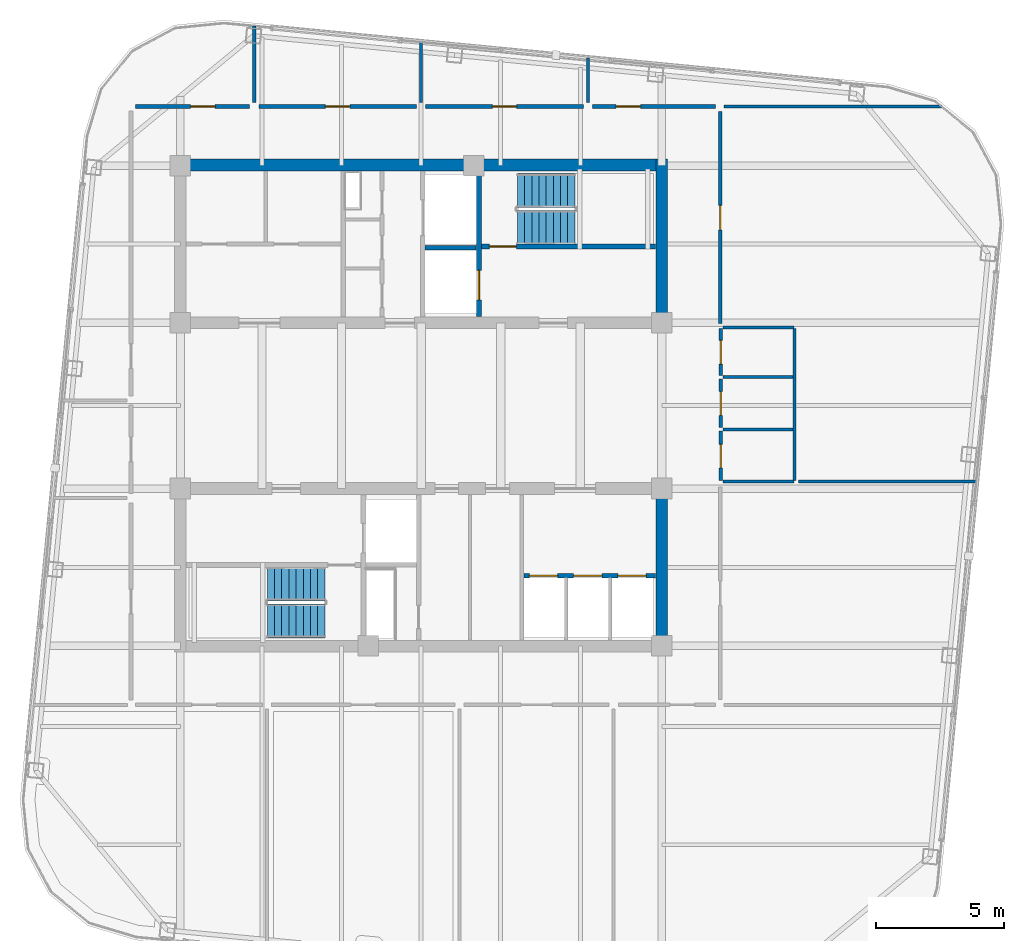
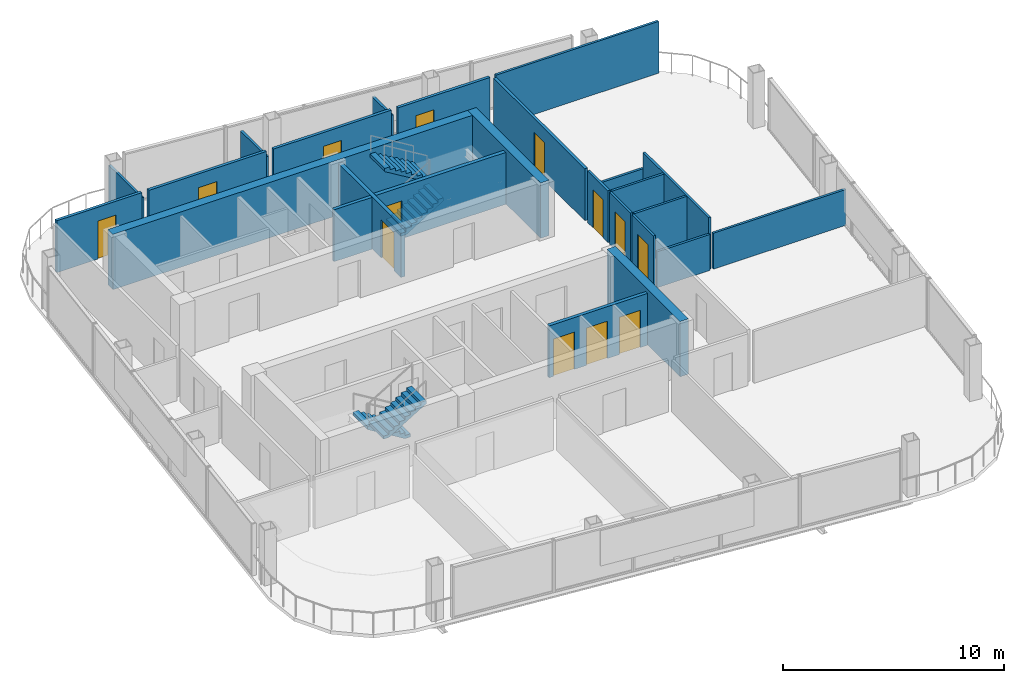
# One storey, part 18 of 23: 25 walls, 13 doors, 4 stair flights, 13 openings, 2 elements without a shape of their own.
"""IFC4 building model written with IfcOpenShell, lengths in metres."""

from ifc_helpers import new_model, si_unit, direction, frame, frame_2d, origin, place, context, subcontext, project, spatial, polyline, rectangle, outline, extrude, material, layer, layer_set, type_object, element, fill, aggregate, save


model = new_model("IFC4")

# Units and contexts
model_context = context("Model", 3, precision=1e-05, world=origin(), true_north=direction((0.0, 1.0)))
body_context = subcontext(model_context, "Body", "Model", "MODEL_VIEW")
ifc_project = project(units=[si_unit("LENGTHUNIT", "METRE"), si_unit("AREAUNIT", "SQUARE_METRE"), si_unit("VOLUMEUNIT", "CUBIC_METRE"), si_unit("PLANEANGLEUNIT", "RADIAN"), si_unit("MASSUNIT", "GRAM", prefix="KILO")], contexts=[model_context])

# Site, building, storey
site_placement = place(None, origin())
site = spatial("IfcSite", under=ifc_project, at=site_placement, CompositionType="ELEMENT")
building_placement = place(site_placement, origin())
building = spatial("IfcBuilding", under=site, at=building_placement, Name="Qhalaya Broadcast Tower", CompositionType="ELEMENT")
storey_placement = place(building_placement, frame((0.0, 0.0, 264.199951171875)))
storey = spatial("IfcBuildingStorey", under=building, at=storey_placement, Name="L78", CompositionType="ELEMENT", Elevation=264.199951171875)

# Wall, opening, door
ifc_material_1 = material(Name="Gypsum Acoustic Partition")
ifc_layer_1 = layer(ifc_material_1, 0.14990234375, Name="Gypsum Acoustic Partition")
ifc_layer_set_1 = layer_set([ifc_layer_1], Name="Gypsum Acoustic Partition")
wall_type_1 = type_object("IfcWallType", Name="Corridor & Tenancy Acoustic Partition 150", PredefinedType="PARTITIONING", material=ifc_layer_set_1)
wall_1_placement = place(storey_placement, frame((-11.1201171875, 12.25, 0.0), z_axis=(0.0, 0.0, 1.0), x_axis=(1.0, 0.0, 0.0)))
wall_1 = element("IfcWall", 1, at=wall_1_placement, inside=storey, type_object=wall_type_1, Name="L78 Partition Wall W-COR-01", PredefinedType="PARTITIONING", context=body_context, shape_type="SweptSolid", body=[
    extrude(rectangle(XDim=4.440185546875, YDim=0.14990234375, at=frame_2d((2.22021484375, 0.0))), origin(), (0.0, 0.0, 1.0), 2.860107421875),
])
opening_1_placement = place(wall_1_placement, frame((2.14501953125, 0.0, 0.0)))
opening_1 = element("IfcOpeningElement", 2, at=opening_1_placement, cuts=wall_1, Name="Opening D10", PredefinedType="OPENING", context=body_context, shape_type="SweptSolid", body=[
    extrude(rectangle(XDim=0.949951171875, YDim=2.10009765625, at=frame_2d((0.47509765625, 1.050048828125))), frame((0.0, 0.0869140625, 0.0), z_axis=(0.0, -1.0, 0.0), x_axis=(1.0, 0.0, 0.0)), (0.0, 0.0, 1.0), 0.173828125),
])
ifc_material_2 = material(Name="Timber Veneer Acoustic Door", Category="wood")
door_type_1 = type_object("IfcDoorType", Name="Cellular Office & Edit Booth Door D10", OperationType="NOTDEFINED", PredefinedType="DOOR", material=ifc_material_2)
door_1_placement = place(opening_1_placement, origin())
door_1 = element("IfcDoor", 3, at=door_1_placement, inside=storey, type_object=door_type_1, Name="L78 Door D-RM01", OperationType="SINGLE_SWING_RIGHT", OverallHeight=2.10009765625, OverallWidth=0.949951171875, PredefinedType="DOOR", context=body_context, shape_type="SweptSolid", body=[
    extrude(rectangle(XDim=0.949951171875, YDim=2.10009765625, at=frame_2d((0.47509765625, 1.050048828125))), frame((0.0, 0.02490234375, 0.0), z_axis=(0.0, -1.0, 0.0), x_axis=(1.0, 0.0, 0.0)), (0.0, 0.0, 1.0), 0.050048828125),
])
fill(opening_1, door_1)

wall_2_placement = place(storey_placement, frame((-6.320068359375, 12.25, 0.0), z_axis=(0.0, 0.0, 1.0), x_axis=(1.0, 0.0, 0.0)))
wall_2 = element("IfcWall", 4, at=wall_2_placement, inside=storey, type_object=wall_type_1, Name="L78 Partition Wall W-COR-02", PredefinedType="PARTITIONING", context=body_context, shape_type="SweptSolid", body=[
    extrude(rectangle(XDim=6.14013671875, YDim=0.14990234375, at=frame_2d((3.070068359375, 0.0))), origin(), (0.0, 0.0, 1.0), 2.860107421875),
])
opening_2_placement = place(wall_2_placement, frame((2.594970703125, 0.0, 0.0)))
opening_2 = element("IfcOpeningElement", 5, at=opening_2_placement, cuts=wall_2, Name="Opening D10", PredefinedType="OPENING", context=body_context, shape_type="SweptSolid", body=[
    extrude(rectangle(XDim=0.949951171875, YDim=2.10009765625, at=frame_2d((0.47509765625, 1.050048828125))), frame((0.0, 0.0869140625, 0.0), z_axis=(0.0, -1.0, 0.0), x_axis=(1.0, 0.0, 0.0)), (0.0, 0.0, 1.0), 0.173828125),
])
door_2_placement = place(opening_2_placement, origin())
door_2 = element("IfcDoor", 6, at=door_2_placement, inside=storey, type_object=door_type_1, Name="L78 Door D-RM02", OperationType="SINGLE_SWING_LEFT", OverallHeight=2.10009765625, OverallWidth=0.949951171875, PredefinedType="DOOR", context=body_context, shape_type="SweptSolid", body=[
    extrude(rectangle(XDim=0.949951171875, YDim=2.10009765625, at=frame_2d((0.47509765625, 1.050048828125))), frame((0.0, 0.02490234375, 0.0), z_axis=(0.0, -1.0, 0.0), x_axis=(1.0, 0.0, 0.0)), (0.0, 0.0, 1.0), 0.050048828125),
])
fill(opening_2, door_2)

wall_3_placement = place(storey_placement, frame((0.179931640625, 12.25, 0.0), z_axis=(0.0, 0.0, 1.0), x_axis=(1.0, 0.0, 0.0)))
wall_3 = element("IfcWall", 7, at=wall_3_placement, inside=storey, type_object=wall_type_1, Name="L78 Partition Wall W-COR-03", PredefinedType="PARTITIONING", context=body_context, shape_type="SweptSolid", body=[
    extrude(rectangle(XDim=6.14013671875, YDim=0.14990234375, at=frame_2d((3.070068359375, 0.0))), origin(), (0.0, 0.0, 1.0), 2.860107421875),
])
opening_3_placement = place(wall_3_placement, frame((2.594970703125, 0.0, 0.0)))
opening_3 = element("IfcOpeningElement", 8, at=opening_3_placement, cuts=wall_3, Name="Opening D10", PredefinedType="OPENING", context=body_context, shape_type="SweptSolid", body=[
    extrude(rectangle(XDim=0.949951171875, YDim=2.10009765625, at=frame_2d((0.47509765625, 1.050048828125))), frame((0.0, 0.0869140625, 0.0), z_axis=(0.0, -1.0, 0.0), x_axis=(1.0, 0.0, 0.0)), (0.0, 0.0, 1.0), 0.173828125),
])
door_3_placement = place(opening_3_placement, origin())
door_3 = element("IfcDoor", 9, at=door_3_placement, inside=storey, type_object=door_type_1, Name="L78 Door D-RM03", OperationType="SINGLE_SWING_RIGHT", OverallHeight=2.10009765625, OverallWidth=0.949951171875, PredefinedType="DOOR", context=body_context, shape_type="SweptSolid", body=[
    extrude(rectangle(XDim=0.949951171875, YDim=2.10009765625, at=frame_2d((0.47509765625, 1.050048828125))), frame((0.0, 0.02490234375, 0.0), z_axis=(0.0, -1.0, 0.0), x_axis=(1.0, 0.0, 0.0)), (0.0, 0.0, 1.0), 0.050048828125),
])
fill(opening_3, door_3)

wall_4_placement = place(storey_placement, frame((6.679931640625, 12.25, 0.0), z_axis=(0.0, 0.0, 1.0), x_axis=(1.0, 0.0, 0.0)))
wall_4 = element("IfcWall", 10, at=wall_4_placement, inside=storey, type_object=wall_type_1, Name="L78 Partition Wall W-COR-04", PredefinedType="PARTITIONING", context=body_context, shape_type="SweptSolid", body=[
    extrude(rectangle(XDim=4.7900390625, YDim=0.14990234375, at=frame_2d((2.39501953125, 0.0))), origin(), (0.0, 0.0, 1.0), 2.860107421875),
])
opening_4_placement = place(wall_4_placement, frame((0.919921875, 0.0, 0.0)))
opening_4 = element("IfcOpeningElement", 11, at=opening_4_placement, cuts=wall_4, Name="Opening D10", PredefinedType="OPENING", context=body_context, shape_type="SweptSolid", body=[
    extrude(rectangle(XDim=0.949951171875, YDim=2.10009765625, at=frame_2d((0.47509765625, 1.050048828125))), frame((0.0, 0.0869140625, 0.0), z_axis=(0.0, -1.0, 0.0), x_axis=(1.0, 0.0, 0.0)), (0.0, 0.0, 1.0), 0.173828125),
])
door_4_placement = place(opening_4_placement, origin())
door_4 = element("IfcDoor", 12, at=door_4_placement, inside=storey, type_object=door_type_1, Name="L78 Door D-RM04", OperationType="SINGLE_SWING_LEFT", OverallHeight=2.10009765625, OverallWidth=0.949951171875, PredefinedType="DOOR", context=body_context, shape_type="SweptSolid", body=[
    extrude(rectangle(XDim=0.949951171875, YDim=2.10009765625, at=frame_2d((0.47509765625, 1.050048828125))), frame((0.0, 0.02490234375, 0.0), z_axis=(0.0, -1.0, 0.0), x_axis=(1.0, 0.0, 0.0)), (0.0, 0.0, 1.0), 0.050048828125),
])
fill(opening_4, door_4)

wall_5_placement = place(storey_placement, frame((11.64990234375, 3.800048828125, 0.0), z_axis=(0.0, 0.0, 1.0), x_axis=(0.0, 1.0, 0.0)))
wall_5 = element("IfcWall", 13, at=wall_5_placement, inside=storey, type_object=wall_type_1, Name="L78 Partition Wall W-COR-13", PredefinedType="PARTITIONING", context=body_context, shape_type="SweptSolid", body=[
    extrude(rectangle(XDim=8.25, YDim=0.14990234375, at=frame_2d((4.125, 0.0))), origin(), (0.0, 0.0, 1.0), 2.860107421875),
])
opening_5_placement = place(wall_5_placement, frame((3.64990234375, 0.0, 0.0)))
opening_5 = element("IfcOpeningElement", 14, at=opening_5_placement, cuts=wall_5, Name="Opening D10", PredefinedType="OPENING", context=body_context, shape_type="SweptSolid", body=[
    extrude(rectangle(XDim=0.949951171875, YDim=2.10009765625, at=frame_2d((0.47509765625, 1.050048828125))), frame((0.0, 0.0869140625, 0.0), z_axis=(0.0, -1.0, 0.0), x_axis=(1.0, 0.0, 0.0)), (0.0, 0.0, 1.0), 0.173828125),
])
door_5_placement = place(opening_5_placement, origin())
door_5 = element("IfcDoor", 15, at=door_5_placement, inside=storey, type_object=door_type_1, Name="L78 Door D-RM13", OperationType="SINGLE_SWING_RIGHT", OverallHeight=2.10009765625, OverallWidth=0.949951171875, PredefinedType="DOOR", context=body_context, shape_type="SweptSolid", body=[
    extrude(rectangle(XDim=0.949951171875, YDim=2.10009765625, at=frame_2d((0.47509765625, 1.050048828125))), frame((0.0, 0.02490234375, 0.0), z_axis=(0.0, -1.0, 0.0), x_axis=(1.0, 0.0, 0.0)), (0.0, 0.0, 1.0), 0.050048828125),
])
fill(opening_5, door_5)

ifc_material_3 = material(Name="Concrete C50/60", Category="concrete")
ifc_layer_2 = layer(ifc_material_3, 0.199951171875, Name="Concrete C50/60")
ifc_layer_set_2 = layer_set([ifc_layer_2], Name="Concrete C50/60")
wall_type_2 = type_object("IfcWallType", Name="Load-Bearing Stair Shaft Wall 200", PredefinedType="SHEAR", material=ifc_layer_set_2)
wall_6_placement = place(storey_placement, frame((2.360107421875, 6.804931640625, 0.0), z_axis=(0.0, 0.0, 1.0), x_axis=(1.0, 0.0, 0.0)))
wall_6 = element("IfcWall", 16, at=wall_6_placement, inside=storey, type_object=wall_type_2, Name="L78 Stair Core Shear Wall NCW-ST1", PredefinedType="SHEAR", context=body_context, shape_type="SweptSolid", body=[
    extrude(rectangle(XDim=6.769775390625, YDim=0.199951171875, at=frame_2d((3.384765625, 0.0))), origin(), (0.0, 0.0, 1.0), 2.860107421875),
])
opening_6_placement = place(wall_6_placement, frame((0.300048828125, 0.0, 0.0)))
opening_6 = element("IfcOpeningElement", 17, at=opening_6_placement, cuts=wall_6, Name="Opening D03", PredefinedType="OPENING", context=body_context, shape_type="SweptSolid", body=[
    extrude(rectangle(XDim=1.050048828125, YDim=2.080078125, at=frame_2d((0.52490234375, 1.0400390625))), frame((0.0, 0.112060546875, 0.0), z_axis=(0.0, -1.0, 0.0), x_axis=(1.0, 0.0, 0.0)), (0.0, 0.0, 1.0), 0.223876953125),
])
ifc_material_4 = material(Name="Fire-Rated Steel Door", Category="steel")
door_type_2 = type_object("IfcDoorType", Name="Core Stair Protected Fire Door D03", OperationType="NOTDEFINED", PredefinedType="DOOR", material=ifc_material_4)
door_6_placement = place(opening_6_placement, origin())
door_6 = element("IfcDoor", 18, at=door_6_placement, inside=storey, type_object=door_type_2, Name="L78 Door D-NST1", OperationType="SINGLE_SWING_LEFT", OverallHeight=2.080078125, OverallWidth=1.050048828125, PredefinedType="DOOR", context=body_context, shape_type="SweptSolid", body=[
    extrude(rectangle(XDim=1.050048828125, YDim=2.080078125, at=frame_2d((0.52490234375, 1.0400390625))), frame((0.0, 0.02490234375, 0.0), z_axis=(0.0, -1.0, 0.0), x_axis=(1.0, 0.0, 0.0)), (0.0, 0.0, 1.0), 0.050048828125),
])
fill(opening_6, door_6)

wall_7_placement = place(storey_placement, frame((2.25, 4.070068359375, 0.0), z_axis=(0.0, 0.0, 1.0), x_axis=(0.0, 1.0, 0.0)))
wall_7 = element("IfcWall", 19, at=wall_7_placement, inside=storey, type_object=wall_type_2, Name="L78 Stair Core Shear Wall NCW-FF", PredefinedType="SHEAR", context=body_context, shape_type="SweptSolid", body=[
    extrude(rectangle(XDim=5.659912109375, YDim=0.199951171875, at=frame_2d((2.830078125, 0.0))), origin(), (0.0, 0.0, 1.0), 2.860107421875),
])
opening_7_placement = place(wall_7_placement, frame((0.64990234375, 0.0, 0.0)))
opening_7 = element("IfcOpeningElement", 20, at=opening_7_placement, cuts=wall_7, Name="Opening LD2", PredefinedType="OPENING", context=body_context, shape_type="SweptSolid", body=[
    extrude(rectangle(XDim=1.14990234375, YDim=2.080078125, at=frame_2d((0.574951171875, 1.0400390625))), frame((0.0, 0.112060546875, 0.0), z_axis=(0.0, -1.0, 0.0), x_axis=(1.0, 0.0, 0.0)), (0.0, 0.0, 1.0), 0.223876953125),
])
ifc_material_5 = material(Name="Brushed Stainless Steel Lift Door", Category="steel")
door_type_3 = type_object("IfcDoorType", Name="Firefighting Lift Sliding Landing Door LD2", OperationType="DOUBLE_DOOR_SLIDING", PredefinedType="DOOR", material=ifc_material_5)
door_7_placement = place(opening_7_placement, origin())
door_7 = element("IfcDoor", 21, at=door_7_placement, inside=storey, type_object=door_type_3, Name="L78 Door LD-FF1", OperationType="DOUBLE_DOOR_SLIDING", OverallHeight=2.080078125, OverallWidth=1.14990234375, PredefinedType="DOOR", context=body_context, shape_type="SweptSolid", body=[
    extrude(rectangle(XDim=1.14990234375, YDim=2.080078125, at=frame_2d((0.574951171875, 1.0400390625))), frame((0.0, 0.02490234375, 0.0), z_axis=(0.0, -1.0, 0.0), x_axis=(1.0, 0.0, 0.0)), (0.0, 0.0, 1.0), 0.050048828125),
])
fill(opening_7, door_7)

ifc_layer_3 = layer(ifc_material_1, 0.1201171875, Name="Gypsum Acoustic Partition")
ifc_layer_set_3 = layer_set([ifc_layer_3], Name="Gypsum Acoustic Partition")
wall_type_3 = type_object("IfcWallType", Name="Office, Booth & Sanitary Partition 120", PredefinedType="PARTITIONING", material=ifc_layer_set_3)
wall_8_placement = place(storey_placement, frame((11.669921875, -2.320068359375, 0.0), z_axis=(0.0, 0.0, 1.0), x_axis=(0.0, 1.0, 0.0)))
wall_8 = element("IfcWall", 22, at=wall_8_placement, inside=storey, type_object=wall_type_3, Name="L78 Partition Wall W-WCWA", PredefinedType="PARTITIONING", context=body_context, shape_type="SweptSolid", body=[
    extrude(rectangle(XDim=1.940185546875, YDim=0.1201171875, at=frame_2d((0.97021484375, 0.0))), origin(), (0.0, 0.0, 1.0), 2.860107421875),
])
opening_8_placement = place(wall_8_placement, frame((0.4951171875, 0.0, 0.0)))
opening_8 = element("IfcOpeningElement", 23, at=opening_8_placement, cuts=wall_8, Name="Opening D12", PredefinedType="OPENING", context=body_context, shape_type="SweptSolid", body=[
    extrude(rectangle(XDim=0.919921875, YDim=2.10009765625, at=frame_2d((0.4599609375, 1.050048828125))), frame((0.0, 0.072021484375, 0.0), z_axis=(0.0, -1.0, 0.0), x_axis=(1.0, 0.0, 0.0)), (0.0, 0.0, 1.0), 0.14404296875),
])
door_type_4 = type_object("IfcDoorType", Name="Accessible WC & Restroom Door D12", OperationType="NOTDEFINED", PredefinedType="DOOR", material=ifc_material_2)
door_8_placement = place(opening_8_placement, origin())
door_8 = element("IfcDoor", 24, at=door_8_placement, inside=storey, type_object=door_type_4, Name="L78 Door D-WCA", OperationType="SINGLE_SWING_LEFT", OverallHeight=2.10009765625, OverallWidth=0.919921875, PredefinedType="DOOR", context=body_context, shape_type="SweptSolid", body=[
    extrude(rectangle(XDim=0.919921875, YDim=2.10009765625, at=frame_2d((0.4599609375, 1.050048828125))), frame((0.0, 0.02490234375, 0.0), z_axis=(0.0, -1.0, 0.0), x_axis=(1.0, 0.0, 0.0)), (0.0, 0.0, 1.0), 0.050048828125),
])
fill(opening_8, door_8)

wall_9_placement = place(storey_placement, frame((11.669921875, -0.25, 0.0), z_axis=(0.0, 0.0, 1.0), x_axis=(0.0, 1.0, 0.0)))
wall_9 = element("IfcWall", 25, at=wall_9_placement, inside=storey, type_object=wall_type_3, Name="L78 Partition Wall W-WCWM", PredefinedType="PARTITIONING", context=body_context, shape_type="SweptSolid", body=[
    extrude(rectangle(XDim=1.89990234375, YDim=0.1201171875, at=frame_2d((0.949951171875, 0.0))), origin(), (0.0, 0.0, 1.0), 2.860107421875),
])
opening_9_placement = place(wall_9_placement, frame((0.47509765625, 0.0, 0.0)))
opening_9 = element("IfcOpeningElement", 26, at=opening_9_placement, cuts=wall_9, Name="Opening D12", PredefinedType="OPENING", context=body_context, shape_type="SweptSolid", body=[
    extrude(rectangle(XDim=0.919921875, YDim=2.10009765625, at=frame_2d((0.4599609375, 1.050048828125))), frame((0.0, 0.072021484375, 0.0), z_axis=(0.0, -1.0, 0.0), x_axis=(1.0, 0.0, 0.0)), (0.0, 0.0, 1.0), 0.14404296875),
])
door_9_placement = place(opening_9_placement, origin())
door_9 = element("IfcDoor", 27, at=door_9_placement, inside=storey, type_object=door_type_4, Name="L78 Door D-WCM", OperationType="SINGLE_SWING_RIGHT", OverallHeight=2.10009765625, OverallWidth=0.919921875, PredefinedType="DOOR", context=body_context, shape_type="SweptSolid", body=[
    extrude(rectangle(XDim=0.919921875, YDim=2.10009765625, at=frame_2d((0.4599609375, 1.050048828125))), frame((0.0, 0.02490234375, 0.0), z_axis=(0.0, -1.0, 0.0), x_axis=(1.0, 0.0, 0.0)), (0.0, 0.0, 1.0), 0.050048828125),
])
fill(opening_9, door_9)

wall_10_placement = place(storey_placement, frame((11.669921875, 1.780029296875, 0.0), z_axis=(0.0, 0.0, 1.0), x_axis=(0.0, 1.0, 0.0)))
wall_10 = element("IfcWall", 28, at=wall_10_placement, inside=storey, type_object=wall_type_3, Name="L78 Partition Wall W-WCWF", PredefinedType="PARTITIONING", context=body_context, shape_type="SweptSolid", body=[
    extrude(rectangle(XDim=1.830078125, YDim=0.1201171875, at=frame_2d((0.9150390625, 0.0))), origin(), (0.0, 0.0, 1.0), 2.860107421875),
])
opening_10_placement = place(wall_10_placement, frame((0.43994140625, 0.0, 0.0)))
opening_10 = element("IfcOpeningElement", 29, at=opening_10_placement, cuts=wall_10, Name="Opening D12", PredefinedType="OPENING", context=body_context, shape_type="SweptSolid", body=[
    extrude(rectangle(XDim=0.919921875, YDim=2.10009765625, at=frame_2d((0.4599609375, 1.050048828125))), frame((0.0, 0.072021484375, 0.0), z_axis=(0.0, -1.0, 0.0), x_axis=(1.0, 0.0, 0.0)), (0.0, 0.0, 1.0), 0.14404296875),
])
door_10_placement = place(opening_10_placement, origin())
door_10 = element("IfcDoor", 30, at=door_10_placement, inside=storey, type_object=door_type_4, Name="L78 Door D-WCF", OperationType="SINGLE_SWING_LEFT", OverallHeight=2.10009765625, OverallWidth=0.919921875, PredefinedType="DOOR", context=body_context, shape_type="SweptSolid", body=[
    extrude(rectangle(XDim=0.919921875, YDim=2.10009765625, at=frame_2d((0.4599609375, 1.050048828125))), frame((0.0, 0.02490234375, 0.0), z_axis=(0.0, -1.0, 0.0), x_axis=(1.0, 0.0, 0.0)), (0.0, 0.0, 1.0), 0.050048828125),
])
fill(opening_10, door_10)

# Walls
wall_11_placement = place(storey_placement, frame((14.550048828125, -2.320068359375, 0.0), z_axis=(0.0, 0.0, 1.0), x_axis=(0.0, 1.0, 0.0)))
element("IfcWall", 31, at=wall_11_placement, inside=storey, type_object=wall_type_3, Name="L78 Partition Wall W-WCE", PredefinedType="PARTITIONING", context=body_context, shape_type="SweptSolid", body=[
    extrude(rectangle(XDim=5.93017578125, YDim=0.1201171875, at=frame_2d((2.965087890625, 0.0))), origin(), (0.0, 0.0, 1.0), 2.860107421875),
])
for number, where, z_axis, x_axis, name in (
    (32, (11.760009765625, -2.35009765625, 0.0), (0.0, 0.0, 1.0), (1.0, 0.0, 0.0), "L78 Partition Wall W-WCS"),
    (33, (11.760009765625, 3.639892578125, 0.0), (0.0, 0.0, 1.0), (1.0, 0.0, 0.0), "L78 Partition Wall W-WCN"),
):
    element("IfcWall", number, at=place(storey_placement, frame(where, z_axis=z_axis, x_axis=x_axis)), inside=storey, type_object=wall_type_3, Name=name, PredefinedType="PARTITIONING", context=body_context, shape_type="SweptSolid", body=[
        extrude(rectangle(XDim=2.760009765625, YDim=0.1201171875, at=frame_2d((1.3798828125, 0.0))), origin(), (0.0, 0.0, 1.0), 1.98095703125),
    ])
for number, where, z_axis, x_axis, name in (
    (34, (11.760009765625, -0.320068359375, 0.0), (0.0, 0.0, 1.0), (1.0, 0.0, 0.0), "L78 Partition Wall W-WCD1"),
    (35, (11.760009765625, 1.719970703125, 0.0), (0.0, 0.0, 1.0), (1.0, 0.0, 0.0), "L78 Partition Wall W-WCD2"),
):
    element("IfcWall", number, at=place(storey_placement, frame(where, z_axis=z_axis, x_axis=x_axis)), inside=storey, type_object=wall_type_3, Name=name, PredefinedType="PARTITIONING", context=body_context, shape_type="SweptSolid", body=[
        extrude(rectangle(XDim=2.719970703125, YDim=0.1201171875, at=frame_2d((1.35986328125, 0.0))), origin(), (0.0, 0.0, 1.0), 2.860107421875),
    ])
wall_12_placement = place(storey_placement, frame((11.7900390625, 12.25, 0.0), z_axis=(0.0, 0.0, 1.0), x_axis=(1.0, 0.0, 0.0)))
element("IfcWall", 36, at=wall_12_placement, inside=storey, type_object=wall_type_3, Name="L78 Partition Wall W-BNDE1", PredefinedType="PARTITIONING", context=body_context, shape_type="SweptSolid", body=[
    extrude(rectangle(XDim=8.484130859375, YDim=0.1201171875, at=frame_2d((4.2421875, 0.0))), origin(), (0.0, 0.0, 1.0), 2.860107421875),
])
wall_13_placement = place(storey_placement, frame((-6.5, 12.409912109375, 0.0), z_axis=(0.0, 0.0, 1.0), x_axis=(0.0, 1.0, 0.0)))
element("IfcWall", 37, at=wall_13_placement, inside=storey, type_object=wall_type_3, Name="L78 Partition Wall W-DIVN1", PredefinedType="PARTITIONING", context=body_context, shape_type="SweptSolid", body=[
    extrude(rectangle(XDim=2.9794921875, YDim=0.1201171875, at=frame_2d((1.48974609375, 0.0))), origin(), (0.0, 0.0, 1.0), 2.381103515625),
])
wall_14_placement = place(storey_placement, frame((0.0, 12.409912109375, 0.0), z_axis=(0.0, 0.0, 1.0), x_axis=(0.0, 1.0, 0.0)))
element("IfcWall", 38, at=wall_14_placement, inside=storey, type_object=wall_type_3, Name="L78 Partition Wall W-DIVN2", PredefinedType="PARTITIONING", context=body_context, shape_type="SweptSolid", body=[
    extrude(rectangle(XDim=2.353515625, YDim=0.1201171875, at=frame_2d((1.1767578125, 0.0))), origin(), (0.0, 0.0, 1.0), 2.381103515625),
])
wall_15_placement = place(storey_placement, frame((6.5, 12.409912109375, 0.0), z_axis=(0.0, 0.0, 1.0), x_axis=(0.0, 1.0, 0.0)))
element("IfcWall", 39, at=wall_15_placement, inside=storey, type_object=wall_type_3, Name="L78 Partition Wall W-DIVN3", PredefinedType="PARTITIONING", context=body_context, shape_type="SweptSolid", body=[
    extrude(rectangle(XDim=1.727783203125, YDim=0.1201171875, at=frame_2d((0.86376953125, 0.0))), origin(), (0.0, 0.0, 1.0), 2.381103515625),
])
wall_16_placement = place(storey_placement, frame((14.68994140625, -2.35009765625, 0.0), z_axis=(0.0, 0.0, 1.0), x_axis=(1.0, 0.0, 0.0)))
element("IfcWall", 40, at=wall_16_placement, inside=storey, type_object=wall_type_3, Name="L78 Partition Wall W-DIVE-WC", PredefinedType="PARTITIONING", context=body_context, shape_type="SweptSolid", body=[
    extrude(rectangle(XDim=6.92724609375, YDim=0.1201171875, at=frame_2d((3.463623046875, 0.0))), origin(), (0.0, 0.0, 1.0), 1.98095703125),
])
ifc_layer_4 = layer(ifc_material_1, 0.175048828125, Name="Gypsum Acoustic Partition")
ifc_layer_set_4 = layer_set([ifc_layer_4], Name="Gypsum Acoustic Partition")
wall_type_4 = type_object("IfcWallType", Name="Shaft & Riser Fire Partition 175", PredefinedType="PARTITIONING", material=ifc_layer_set_4)
wall_17_placement = place(storey_placement, frame((0.159912109375, 6.75, 0.0), z_axis=(0.0, 0.0, 1.0), x_axis=(1.0, 0.0, 0.0)))
element("IfcWall", 41, at=wall_17_placement, inside=storey, type_object=wall_type_4, Name="L78 Partition Wall NCW-SVM", PredefinedType="PARTITIONING", context=body_context, shape_type="SweptSolid", body=[
    extrude(rectangle(XDim=1.97998046875, YDim=0.175048828125, at=frame_2d((0.989990234375, 0.0))), origin(), (0.0, 0.0, 1.0), 2.860107421875),
])

# Wall, openings, doors
wall_18_placement = place(storey_placement, frame((4.0, -6.02001953125, 0.0), z_axis=(0.0, 0.0, 1.0), x_axis=(1.0, 0.0, 0.0)))
wall_18 = element("IfcWall", 42, at=wall_18_placement, inside=storey, type_object=wall_type_4, Name="L78 Partition Wall SCW-SLB", PredefinedType="PARTITIONING", context=body_context, shape_type="SweptSolid", body=[
    extrude(rectangle(XDim=5.1298828125, YDim=0.175048828125, at=frame_2d((2.56494140625, 0.0))), origin(), (0.0, 0.0, 1.0), 2.860107421875),
])
opening_11_placement = place(wall_18_placement, frame((0.219970703125, 0.0, 0.0)))
opening_11 = element("IfcOpeningElement", 43, at=opening_11_placement, cuts=wall_18, Name="Opening LD1", PredefinedType="OPENING", context=body_context, shape_type="SweptSolid", body=[
    extrude(rectangle(XDim=1.10009765625, YDim=2.06005859375, at=frame_2d((0.550048828125, 1.030029296875))), frame((0.0, 0.099609375, 0.0), z_axis=(0.0, -1.0, 0.0), x_axis=(1.0, 0.0, 0.0)), (0.0, 0.0, 1.0), 0.198974609375),
])
opening_12_placement = place(wall_18_placement, frame((1.93994140625, 0.0, 0.0)))
opening_12 = element("IfcOpeningElement", 44, at=opening_12_placement, cuts=wall_18, Name="Opening LD1", PredefinedType="OPENING", context=body_context, shape_type="SweptSolid", body=[
    extrude(rectangle(XDim=1.10009765625, YDim=2.06005859375, at=frame_2d((0.550048828125, 1.030029296875))), frame((0.0, 0.099609375, 0.0), z_axis=(0.0, -1.0, 0.0), x_axis=(1.0, 0.0, 0.0)), (0.0, 0.0, 1.0), 0.198974609375),
])
opening_13_placement = place(wall_18_placement, frame((3.659912109375, 0.0, 0.0)))
opening_13 = element("IfcOpeningElement", 45, at=opening_13_placement, cuts=wall_18, Name="Opening LD1", PredefinedType="OPENING", context=body_context, shape_type="SweptSolid", body=[
    extrude(rectangle(XDim=1.10009765625, YDim=2.06005859375, at=frame_2d((0.550048828125, 1.030029296875))), frame((0.0, 0.099609375, 0.0), z_axis=(0.0, -1.0, 0.0), x_axis=(1.0, 0.0, 0.0)), (0.0, 0.0, 1.0), 0.198974609375),
])
door_type_5 = type_object("IfcDoorType", Name="Passenger Lift Sliding Landing Door LD1", OperationType="DOUBLE_DOOR_SLIDING", PredefinedType="DOOR", material=ifc_material_5)
door_11_placement = place(opening_11_placement, origin())
door_11 = element("IfcDoor", 46, at=door_11_placement, inside=storey, type_object=door_type_5, Name="L78 Door LD-P6", OperationType="DOUBLE_DOOR_SLIDING", OverallHeight=2.06005859375, OverallWidth=1.10009765625, PredefinedType="DOOR", context=body_context, shape_type="SweptSolid", body=[
    extrude(rectangle(XDim=1.10009765625, YDim=2.06005859375, at=frame_2d((0.550048828125, 1.030029296875))), frame((0.0, 0.02490234375, 0.0), z_axis=(0.0, -1.0, 0.0), x_axis=(1.0, 0.0, 0.0)), (0.0, 0.0, 1.0), 0.050048828125),
])
fill(opening_11, door_11)
door_12_placement = place(opening_12_placement, origin())
door_12 = element("IfcDoor", 47, at=door_12_placement, inside=storey, type_object=door_type_5, Name="L78 Door LD-P7", OperationType="DOUBLE_DOOR_SLIDING", OverallHeight=2.06005859375, OverallWidth=1.10009765625, PredefinedType="DOOR", context=body_context, shape_type="SweptSolid", body=[
    extrude(rectangle(XDim=1.10009765625, YDim=2.06005859375, at=frame_2d((0.550048828125, 1.030029296875))), frame((0.0, 0.02490234375, 0.0), z_axis=(0.0, -1.0, 0.0), x_axis=(1.0, 0.0, 0.0)), (0.0, 0.0, 1.0), 0.050048828125),
])
fill(opening_12, door_12)
door_13_placement = place(opening_13_placement, origin())
door_13 = element("IfcDoor", 48, at=door_13_placement, inside=storey, type_object=door_type_5, Name="L78 Door LD-P8", OperationType="DOUBLE_DOOR_SLIDING", OverallHeight=2.06005859375, OverallWidth=1.10009765625, PredefinedType="DOOR", context=body_context, shape_type="SweptSolid", body=[
    extrude(rectangle(XDim=1.10009765625, YDim=2.06005859375, at=frame_2d((0.550048828125, 1.030029296875))), frame((0.0, 0.02490234375, 0.0), z_axis=(0.0, -1.0, 0.0), x_axis=(1.0, 0.0, 0.0)), (0.0, 0.0, 1.0), 0.050048828125),
])
fill(opening_13, door_13)

# Walls
ifc_layer_5 = layer(ifc_material_3, 0.449951171875, Name="Concrete C50/60")
ifc_layer_set_5 = layer_set([ifc_layer_5], Name="Concrete C50/60")
wall_type_5 = type_object("IfcWallType", Name="Upper Split-Core Shear Wall 450", PredefinedType="SHEAR", material=ifc_layer_set_5)
wall_19_placement = place(storey_placement, frame((-9.60009765625, 9.97509765625, 0.0), z_axis=(0.0, 0.0, 1.0), x_axis=(1.0, 0.0, 0.0)))
element("IfcWall", 49, at=wall_19_placement, inside=storey, type_object=wall_type_5, Name="L78 Split-Core Shear Wall CW-NN", PredefinedType="SHEAR", context=body_context, shape_type="SweptSolid", body=[
    extrude(rectangle(XDim=19.2001953125, YDim=0.449951171875, at=frame_2d((9.60009765625, 0.0))), origin(), (0.0, 0.0, 1.0), 3.050048828125),
])
wall_20_placement = place(storey_placement, frame((9.375, 3.60009765625, 0.0), z_axis=(0.0, 0.0, 1.0), x_axis=(0.0, 1.0, 0.0)))
element("IfcWall", 50, at=wall_20_placement, inside=storey, type_object=wall_type_5, Name="L78 Split-Core Shear Wall CW-NE", PredefinedType="SHEAR", context=body_context, shape_type="SweptSolid", body=[
    extrude(rectangle(XDim=6.599853515625, YDim=0.449951171875, at=frame_2d((3.2998046875, 0.0))), origin(), (0.0, 0.0, 1.0), 3.050048828125),
])
wall_21_placement = place(storey_placement, frame((9.375, -9.0, 0.0), z_axis=(0.0, 0.0, 1.0), x_axis=(0.0, 1.0, 0.0)))
element("IfcWall", 51, at=wall_21_placement, inside=storey, type_object=wall_type_5, Name="L78 Split-Core Shear Wall CW-SE", PredefinedType="SHEAR", context=body_context, shape_type="SweptSolid", body=[
    extrude(rectangle(XDim=6.60009765625, YDim=0.449951171875, at=frame_2d((3.300048828125, 0.0))), origin(), (0.0, 0.0, 1.0), 3.050048828125),
])

# Stair, stair flights
ifc_material_6 = material(Name="Concrete C40/50", Category="concrete")
stair_type = type_object("IfcStairType", Name="Protected Dogleg Core Stair 3150", PredefinedType="TWO_STRAIGHT_RUN_STAIR", material=ifc_material_6)
stair_1_placement = place(storey_placement, origin())
stair_1 = element("IfcStair", 52, at=stair_1_placement, inside=storey, type_object=stair_type, Name="L78 North Core Exit Stair ST-1", PredefinedType="TWO_STRAIGHT_RUN_STAIR")
ifc_material_7 = material(Name="Precast Concrete C40/50", Category="concrete")
stair_flight_type = type_object("IfcStairFlightType", Name="Precast Concrete Stair Flight 3150", PredefinedType="STRAIGHT", material=ifc_material_7)
stair_flight_1_placement = place(storey_placement, frame((3.75, 7.5400390625, 0.0), z_axis=(0.0, 0.0, 1.0), x_axis=(1.0, 0.0, 0.0)))
stair_flight_1 = element("IfcStairFlight", 53, at=stair_flight_1_placement, type_object=stair_flight_type, Name="ST-1 flight 1", NumberOfRisers=9, NumberOfTreads=8, PredefinedType="STRAIGHT", RiserHeight=0.169444444, TreadLength=0.28, context=body_context, shape_type="SweptSolid", body=[
    extrude(outline(polyline([(0.0, 0.0), (0.0, 0.16943359375), (0.280029296875, 0.16943359375), (0.280029296875, 0.3388671875), (0.56005859375, 0.3388671875), (0.56005859375, 0.50830078125), (0.840087890625, 0.50830078125), (0.840087890625, 0.677734375), (1.1201171875, 0.677734375), (1.1201171875, 0.84716796875), (1.39990234375, 0.84716796875), (1.39990234375, 1.0166015625), (1.679931640625, 1.0166015625), (1.679931640625, 1.18603515625), (1.9599609375, 1.18603515625), (1.9599609375, 1.35546875), (2.239990234375, 1.35546875), (2.239990234375, 1.52490234375), (2.239990234375, 1.180419921875), (0.28955078125, 0.0), (0.0, 0.0)])), frame((0.0, 0.66015625, 0.0), z_axis=(0.0, -1.0, 0.0), x_axis=(1.0, 0.0, 0.0)), (0.0, 0.0, 1.0), 1.320068359375),
])
stair_flight_2_placement = place(storey_placement, frame((5.989990234375, 8.97998046875, 1.525146484375), z_axis=(0.0, 0.0, 1.0), x_axis=(-1.0, 0.0, 0.0)))
stair_flight_2 = element("IfcStairFlight", 54, at=stair_flight_2_placement, type_object=stair_flight_type, Name="ST-1 flight 2", NumberOfRisers=9, NumberOfTreads=8, PredefinedType="STRAIGHT", RiserHeight=0.169444444, TreadLength=0.28, context=body_context, shape_type="SweptSolid", body=[
    extrude(outline(polyline([(0.0, 0.0), (0.0, 0.16943359375), (0.280029296875, 0.16943359375), (0.280029296875, 0.3388671875), (0.56005859375, 0.3388671875), (0.56005859375, 0.50830078125), (0.840087890625, 0.50830078125), (0.840087890625, 0.677734375), (1.1201171875, 0.677734375), (1.1201171875, 0.84716796875), (1.39990234375, 0.84716796875), (1.39990234375, 1.0166015625), (1.679931640625, 1.0166015625), (1.679931640625, 1.18603515625), (1.9599609375, 1.18603515625), (1.9599609375, 1.35546875), (2.239990234375, 1.35546875), (2.239990234375, 1.52490234375), (2.239990234375, 1.180419921875), (0.28955078125, 0.0), (0.0, 0.0)])), frame((0.0, 0.66015625, 0.0), z_axis=(0.0, -1.0, 0.0), x_axis=(1.0, 0.0, 0.0)), (0.0, 0.0, 1.0), 1.320068359375),
])
aggregate(stair_1, [stair_flight_1, stair_flight_2])

stair_2_placement = place(storey_placement, origin())
stair_2 = element("IfcStair", 55, at=stair_2_placement, inside=storey, type_object=stair_type, Name="L78 South Core Exit Stair ST-2", PredefinedType="TWO_STRAIGHT_RUN_STAIR")
stair_flight_3_placement = place(storey_placement, frame((-3.75, -6.340087890625, 0.0), z_axis=(0.0, 0.0, 1.0), x_axis=(-1.0, 0.0, 0.0)))
stair_flight_3 = element("IfcStairFlight", 56, at=stair_flight_3_placement, type_object=stair_flight_type, Name="ST-2 flight 1", NumberOfRisers=9, NumberOfTreads=8, PredefinedType="STRAIGHT", RiserHeight=0.169444444, TreadLength=0.28, context=body_context, shape_type="SweptSolid", body=[
    extrude(outline(polyline([(0.0, 0.0), (0.0, 0.16943359375), (0.280029296875, 0.16943359375), (0.280029296875, 0.3388671875), (0.56005859375, 0.3388671875), (0.56005859375, 0.50830078125), (0.840087890625, 0.50830078125), (0.840087890625, 0.677734375), (1.1201171875, 0.677734375), (1.1201171875, 0.84716796875), (1.39990234375, 0.84716796875), (1.39990234375, 1.0166015625), (1.679931640625, 1.0166015625), (1.679931640625, 1.18603515625), (1.9599609375, 1.18603515625), (1.9599609375, 1.35546875), (2.239990234375, 1.35546875), (2.239990234375, 1.52490234375), (2.239990234375, 1.180419921875), (0.28955078125, 0.0), (0.0, 0.0)])), frame((0.0, 0.66015625, 0.0), z_axis=(0.0, -1.0, 0.0), x_axis=(1.0, 0.0, 0.0)), (0.0, 0.0, 1.0), 1.320068359375),
])
stair_flight_4_placement = place(storey_placement, frame((-5.989990234375, -7.780029296875, 1.525146484375), z_axis=(0.0, 0.0, 1.0), x_axis=(1.0, 0.0, 0.0)))
stair_flight_4 = element("IfcStairFlight", 57, at=stair_flight_4_placement, type_object=stair_flight_type, Name="ST-2 flight 2", NumberOfRisers=9, NumberOfTreads=8, PredefinedType="STRAIGHT", RiserHeight=0.169444444, TreadLength=0.28, context=body_context, shape_type="SweptSolid", body=[
    extrude(outline(polyline([(0.0, 0.0), (0.0, 0.16943359375), (0.280029296875, 0.16943359375), (0.280029296875, 0.3388671875), (0.56005859375, 0.3388671875), (0.56005859375, 0.50830078125), (0.840087890625, 0.50830078125), (0.840087890625, 0.677734375), (1.1201171875, 0.677734375), (1.1201171875, 0.84716796875), (1.39990234375, 0.84716796875), (1.39990234375, 1.0166015625), (1.679931640625, 1.0166015625), (1.679931640625, 1.18603515625), (1.9599609375, 1.18603515625), (1.9599609375, 1.35546875), (2.239990234375, 1.35546875), (2.239990234375, 1.52490234375), (2.239990234375, 1.180419921875), (0.28955078125, 0.0), (0.0, 0.0)])), frame((0.0, 0.66015625, 0.0), z_axis=(0.0, -1.0, 0.0), x_axis=(1.0, 0.0, 0.0)), (0.0, 0.0, 1.0), 1.320068359375),
])
aggregate(stair_2, [stair_flight_3, stair_flight_4])

save(model, "model.ifc")
